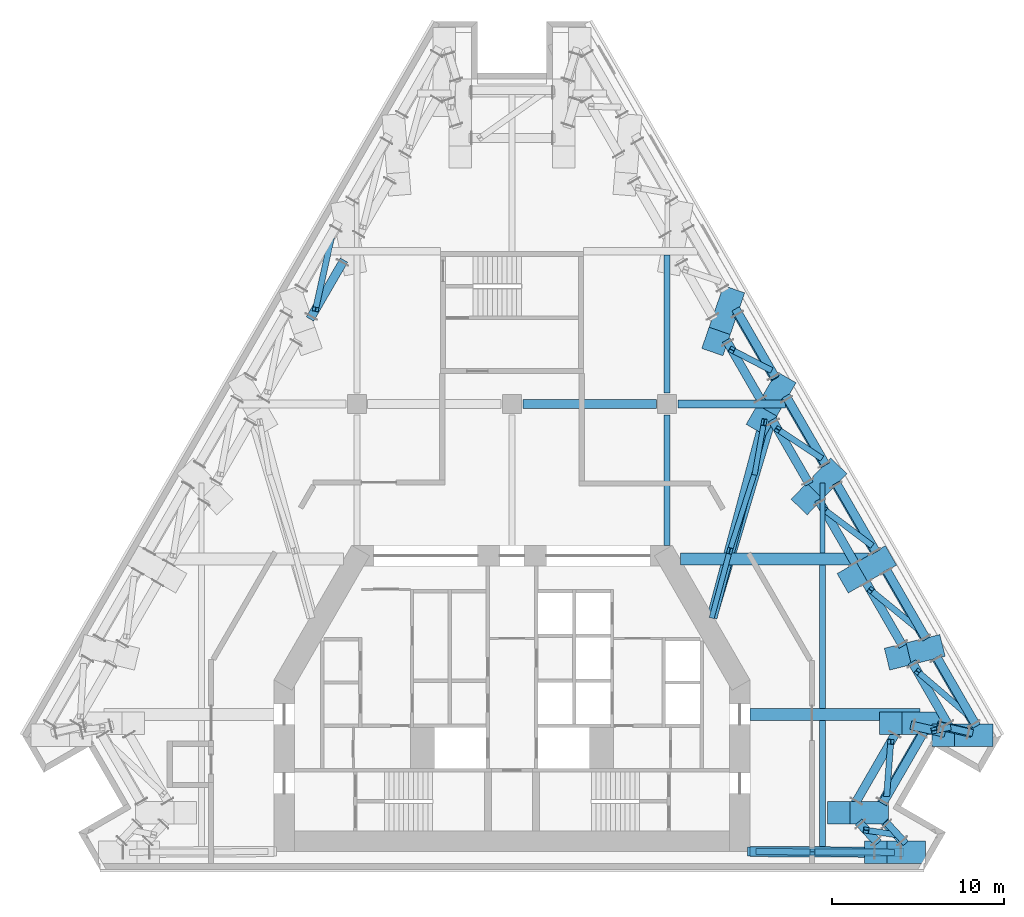
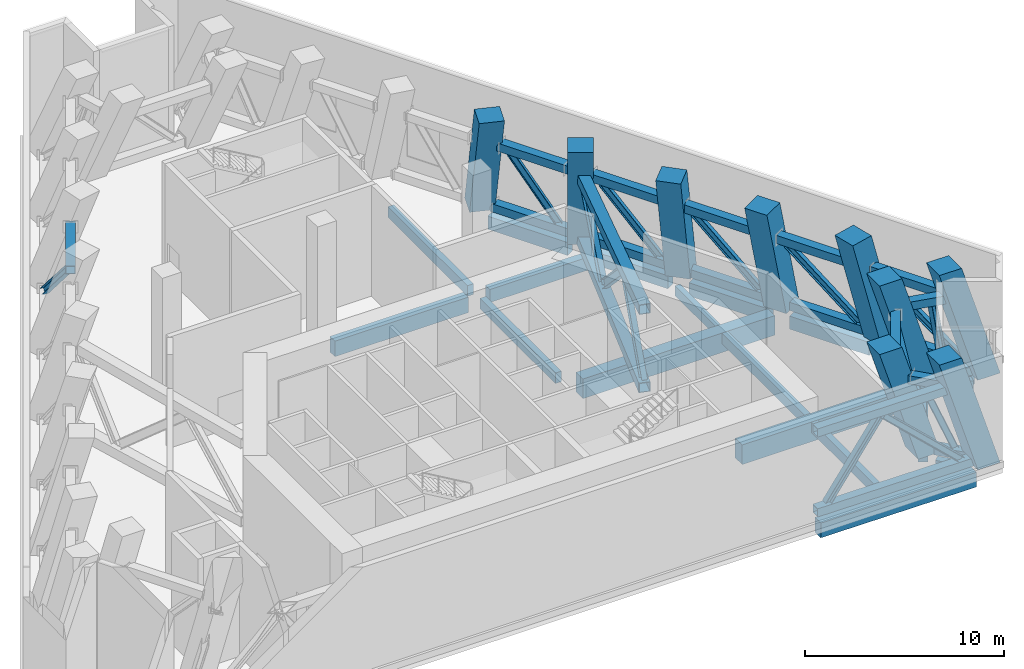
# One storey, part 2 of 13: 44 members, 18 beams.
"""IFC4 building model written with IfcOpenShell, lengths in metres."""

from ifc_helpers import new_model, si_unit, direction, frame, origin, origin_2d, place, context, subcontext, project, spatial, rectangle, hollow_rectangle, i_section, extrude, material, material_profile, profile_set, type_object, element, save


model = new_model("IFC4")

# Units and contexts
model_context = context("Model", 3, precision=1e-05, world=origin(), true_north=direction((0.0, 1.0)))
body_context = subcontext(model_context, "Body", "Model", "MODEL_VIEW")
ifc_project = project(units=[si_unit("LENGTHUNIT", "METRE"), si_unit("AREAUNIT", "SQUARE_METRE"), si_unit("VOLUMEUNIT", "CUBIC_METRE"), si_unit("PLANEANGLEUNIT", "RADIAN"), si_unit("MASSUNIT", "GRAM", prefix="KILO")], contexts=[model_context])

# Site, building, storey
site_placement = place(None, origin())
site = spatial("IfcSite", under=ifc_project, at=site_placement, CompositionType="ELEMENT")
building_placement = place(site_placement, origin())
building = spatial("IfcBuilding", under=site, at=building_placement, Name="Fogline Exchange Tower", CompositionType="ELEMENT")
storey_placement = place(building_placement, frame((0.0, 0.0, 174.89990234375)))
storey = spatial("IfcBuildingStorey", under=building, at=storey_placement, Name="L39", CompositionType="ELEMENT", Elevation=174.89990234375)

# Beams
ifc_material_1 = material(Name="Concrete C40", Category="concrete")
ifc_material_profile_1 = material_profile(ifc_material_1, rectangle(XDim=0.300048828125, YDim=0.60009765625, at=origin_2d()), Name="RC 300x600")
ifc_profile_set_1 = profile_set([ifc_material_profile_1], Name="Concrete C40")
beam_type_1 = type_object("IfcBeamType", Name="B06", PredefinedType="BEAM", material=ifc_profile_set_1)
beam_1_placement = place(storey_placement, frame((18.0, 18.35009765625, -0.699951171875), z_axis=(0.0, 1.0, 0.0), x_axis=(-1.0, 0.0, 0.0)))
element("IfcBeam", 1, at=beam_1_placement, inside=storey, type_object=beam_type_1, Name="SB014", PredefinedType="BEAM", context=body_context, shape_type="SweptSolid", body=[
    extrude(rectangle(XDim=0.300048828125, YDim=0.60009765625, at=origin_2d()), origin(), (0.0, 0.0, 1.0), 4.070068359375),
])
ifc_material_profile_2 = material_profile(ifc_material_1, rectangle(XDim=0.60009765625, YDim=0.89990234375, at=origin_2d()), Name="RC 600x900")
ifc_profile_set_2 = profile_set([ifc_material_profile_2], Name="Concrete C40")
beam_type_2 = type_object("IfcBeamType", Name="B09", PredefinedType="BEAM", material=ifc_profile_set_2)
beam_2_placement = place(storey_placement, frame((13.800048828125, 1.050048828125, -0.849853515625), z_axis=(0.999984543136, -0.005559990001, 0.0), x_axis=(0.005559990001, 0.999984543136, 0.0)))
element("IfcBeam", 2, at=beam_2_placement, inside=storey, type_object=beam_type_2, Name="RB005", PredefinedType="BEAM", context=body_context, shape_type="SweptSolid", body=[
    extrude(rectangle(XDim=0.60009765625, YDim=0.89990234375, at=origin_2d()), origin(), (0.0, 0.0, 1.0), 9.001708984375),
])
ifc_material_profile_3 = material_profile(ifc_material_1, rectangle(XDim=0.5, YDim=0.800048828125, at=origin_2d()), Name="RC 500x800")
ifc_profile_set_3 = profile_set([ifc_material_profile_3], Name="Concrete C40")
beam_type_3 = type_object("IfcBeamType", Name="B10", PredefinedType="BEAM", material=ifc_profile_set_3)
beam_3_placement = place(storey_placement, frame((21.49267578125, 3.823974609375, -0.7998046875), z_axis=(0.499994660107, 0.866028486751, 0.0), x_axis=(-0.866028486751, 0.499994660107, 0.0)))
element("IfcBeam", 3, at=beam_3_placement, inside=storey, type_object=beam_type_3, Name="RB007", PredefinedType="BEAM", context=body_context, shape_type="SweptSolid", body=[
    extrude(rectangle(XDim=0.5, YDim=0.800048828125, at=origin_2d()), origin(), (0.0, 0.0, 1.0), 4.78759765625),
])
for number, where, z_axis, x_axis, name in (
    (4, (26.94580078125, 8.319091796875, -0.7998046875), (-0.499981705991, 0.866035965578, 0.0), (-0.866035965578, -0.499981705991, 0.0), "RB009"),
    (5, (24.030029296875, 13.369384765625, -0.7998046875), (-0.499981705991, 0.866035965578, 0.0), (-0.866035965578, -0.499981705991, 0.0), "RB010"),
):
    element("IfcBeam", number, at=place(storey_placement, frame(where, z_axis=z_axis, x_axis=x_axis)), inside=storey, type_object=beam_type_3, Name=name, PredefinedType="BEAM", context=body_context, shape_type="SweptSolid", body=[
        extrude(rectangle(XDim=0.5, YDim=0.800048828125, at=origin_2d()), origin(), (0.0, 0.0, 1.0), 4.619384765625),
    ])
for number, where, z_axis, x_axis, name in (
    (6, (21.1142578125, 18.419921875, -0.7998046875), (-0.500004591975, 0.86602275259, 0.0), (-0.86602275259, -0.500004591975, 0.0), "RB011"),
    (7, (18.198486328125, 23.47021484375, -0.7998046875), (-0.500004591975, 0.86602275259, 0.0), (-0.86602275259, -0.500004591975, 0.0), "RB012"),
    (8, (15.28271484375, 28.5205078125, -0.7998046875), (-0.500004591975, 0.86602275259, 0.0), (-0.86602275259, -0.500004591975, 0.0), "RB013"),
):
    element("IfcBeam", number, at=place(storey_placement, frame(where, z_axis=z_axis, x_axis=x_axis)), inside=storey, type_object=beam_type_3, Name=name, PredefinedType="BEAM", context=body_context, shape_type="SweptSolid", body=[
        extrude(rectangle(XDim=0.5, YDim=0.800048828125, at=origin_2d()), origin(), (0.0, 0.0, 1.0), 4.619140625),
    ])
ifc_material_profile_4 = material_profile(ifc_material_1, rectangle(XDim=0.39990234375, YDim=0.60009765625, at=origin_2d()), Name="RC 400x600")
ifc_profile_set_4 = profile_set([ifc_material_profile_4], Name="Concrete C40")
beam_type_4 = type_object("IfcBeamType", Name="B11", PredefinedType="BEAM", material=ifc_profile_set_4)
beam_4_placement = place(storey_placement, frame((22.83837890625, 1.52490234375, -0.699951171875), z_axis=(-0.680791505026, 0.732477253357, 0.0), x_axis=(-0.732477253357, -0.680791505026, 0.0)))
element("IfcBeam", 9, at=beam_4_placement, inside=storey, type_object=beam_type_4, Name="RB006", PredefinedType="BEAM", context=body_context, shape_type="SweptSolid", body=[
    extrude(rectangle(XDim=0.39990234375, YDim=0.60009765625, at=origin_2d()), origin(), (0.0, 0.0, 1.0), 1.705322265625),
])
beam_5_placement = place(storey_placement, frame((24.714599609375, 8.375, -0.699951171875), z_axis=(0.974739301343, -0.223345683676, 0.0), x_axis=(0.223345683676, 0.974739301343, 0.0)))
element("IfcBeam", 10, at=beam_5_placement, inside=storey, type_object=beam_type_4, Name="RB008", PredefinedType="BEAM", context=body_context, shape_type="SweptSolid", body=[
    extrude(rectangle(XDim=0.39990234375, YDim=0.60009765625, at=origin_2d()), origin(), (0.0, 0.0, 1.0), 2.0615234375),
])
ifc_material_profile_5 = material_profile(ifc_material_1, rectangle(XDim=0.5, YDim=0.949951171875, at=origin_2d()), Name="RC 500x950")
ifc_profile_set_5 = profile_set([ifc_material_profile_5], Name="Concrete C40")
beam_type_5 = type_object("IfcBeamType", Name="B14", PredefinedType="BEAM", material=ifc_profile_set_5)
beam_6_placement = place(storey_placement, frame((0.625, 27.0, -0.875), z_axis=(1.0, 0.0, 0.0), x_axis=(0.0, 1.0, 0.0)))
element("IfcBeam", 11, at=beam_6_placement, inside=storey, type_object=beam_type_5, Name="GB007", PredefinedType="BEAM", context=body_context, shape_type="SweptSolid", body=[
    extrude(rectangle(XDim=0.5, YDim=0.949951171875, at=origin_2d()), origin(), (0.0, 0.0, 1.0), 7.75),
])
ifc_material_profile_6 = material_profile(ifc_material_1, rectangle(XDim=0.35009765625, YDim=0.64990234375, at=origin_2d()), Name="RC 350x650")
ifc_profile_set_6 = profile_set([ifc_material_profile_6], Name="Concrete C40")
beam_type_6 = type_object("IfcBeamType", Name="B16", PredefinedType="BEAM", material=ifc_profile_set_6)
beam_7_placement = place(storey_placement, frame((9.0, 18.800048828125, -0.724853515625), z_axis=(0.0, 1.0, 0.0), x_axis=(-1.0, 0.0, 0.0)))
element("IfcBeam", 12, at=beam_7_placement, inside=storey, type_object=beam_type_6, Name="SB009", PredefinedType="BEAM", context=body_context, shape_type="SweptSolid", body=[
    extrude(rectangle(XDim=0.35009765625, YDim=0.64990234375, at=origin_2d()), origin(), (0.0, 0.0, 1.0), 7.574951171875),
])
beam_8_placement = place(storey_placement, frame((9.0, 27.625, -0.724853515625), z_axis=(0.0, 1.0, 0.0), x_axis=(-1.0, 0.0, 0.0)))
element("IfcBeam", 13, at=beam_8_placement, inside=storey, type_object=beam_type_6, Name="SB010", PredefinedType="BEAM", context=body_context, shape_type="SweptSolid", body=[
    extrude(rectangle(XDim=0.35009765625, YDim=0.64990234375, at=origin_2d()), origin(), (0.0, 0.0, 1.0), 8.007080078125),
])
beam_9_placement = place(storey_placement, frame((18.0, 1.327880859375, -0.724853515625), z_axis=(0.0, 1.0, 0.0), x_axis=(-1.0, 0.0, 0.0)))
element("IfcBeam", 14, at=beam_9_placement, inside=storey, type_object=beam_type_6, Name="SB012", PredefinedType="BEAM", context=body_context, shape_type="SweptSolid", body=[
    extrude(rectangle(XDim=0.35009765625, YDim=0.64990234375, at=origin_2d()), origin(), (0.0, 0.0, 1.0), 7.322021484375),
])
beam_10_placement = place(storey_placement, frame((18.0, 9.35009765625, -0.724853515625), z_axis=(0.0, 1.0, 0.0), x_axis=(-1.0, 0.0, 0.0)))
element("IfcBeam", 15, at=beam_10_placement, inside=storey, type_object=beam_type_6, Name="SB013", PredefinedType="BEAM", context=body_context, shape_type="SweptSolid", body=[
    extrude(rectangle(XDim=0.35009765625, YDim=0.64990234375, at=origin_2d()), origin(), (0.0, 0.0, 1.0), 8.2998046875),
])
ifc_material_profile_7 = material_profile(ifc_material_1, rectangle(XDim=0.699951171875, YDim=1.199951171875, at=origin_2d()), Name="RC 700x1200")
ifc_profile_set_7 = profile_set([ifc_material_profile_7], Name="Concrete C40")
beam_type_7 = type_object("IfcBeamType", Name="B17", PredefinedType="BEAM", material=ifc_profile_set_7)
beam_11_placement = place(storey_placement, frame((13.800048828125, 9.0, -1.0), z_axis=(1.0, 0.0, 0.0), x_axis=(0.0, 1.0, 0.0)))
element("IfcBeam", 16, at=beam_11_placement, inside=storey, type_object=beam_type_7, Name="GB002", PredefinedType="BEAM", context=body_context, shape_type="SweptSolid", body=[
    extrude(rectangle(XDim=0.699951171875, YDim=1.199951171875, at=origin_2d()), origin(), (0.0, 0.0, 1.0), 9.864501953125),
])
beam_12_placement = place(storey_placement, frame((9.758056640625, 18.0, -1.0), z_axis=(1.0, 0.0, 0.0), x_axis=(0.0, 1.0, 0.0)))
element("IfcBeam", 17, at=beam_12_placement, inside=storey, type_object=beam_type_7, Name="GB004", PredefinedType="BEAM", context=body_context, shape_type="SweptSolid", body=[
    extrude(rectangle(XDim=0.699951171875, YDim=1.199951171875, at=origin_2d()), origin(), (0.0, 0.0, 1.0), 11.13427734375),
])
ifc_material_profile_8 = material_profile(ifc_material_1, rectangle(XDim=0.449951171875, YDim=0.800048828125, at=origin_2d()), Name="RC 450x800")
ifc_profile_set_8 = profile_set([ifc_material_profile_8], Name="Concrete C40")
beam_type_8 = type_object("IfcBeamType", Name="B18", PredefinedType="BEAM", material=ifc_profile_set_8)
beam_13_placement = place(storey_placement, frame((9.625, 27.0, -0.7998046875), z_axis=(1.0, 0.0, 0.0), x_axis=(0.0, 1.0, 0.0)))
element("IfcBeam", 18, at=beam_13_placement, inside=storey, type_object=beam_type_8, Name="GB008", PredefinedType="BEAM", context=body_context, shape_type="SweptSolid", body=[
    extrude(rectangle(XDim=0.449951171875, YDim=0.800048828125, at=origin_2d()), origin(), (0.0, 0.0, 1.0), 6.246826171875),
])

# Members
ifc_material_2 = material(Name="Steel Q355B", Category="steel")
ifc_material_profile_9 = material_profile(ifc_material_2, hollow_rectangle(XDim=0.5, YDim=0.5, WallThickness=0.02490234375, at=origin_2d()), Name="BOX500X500X25")
ifc_profile_set_9 = profile_set([ifc_material_profile_9], Name="Steel Q355B")
member_type_1 = type_object("IfcMemberType", Name="M05", PredefinedType="CHORD", material=ifc_profile_set_9)
member_1_placement = place(storey_placement, frame((13.64990234375, 1.05078125, 0.25), z_axis=(0.999983712525, -0.005707423731, 0.0), x_axis=(0.005707423731, 0.999983712525, 0.0)))
element("IfcMember", 19, at=member_1_placement, inside=storey, type_object=member_type_1, Name="Belt truss chord BT4-2-BC", PredefinedType="CHORD", context=body_context, shape_type="SweptSolid", body=[
    extrude(hollow_rectangle(XDim=0.5, YDim=0.5, WallThickness=0.02490234375, at=origin_2d()), origin(), (0.0, 0.0, 1.0), 9.068603515625),
])
member_2_placement = place(storey_placement, frame((13.64990234375, 1.051025390625, 5.150146484375), z_axis=(0.999976265764, -0.006889695766, 0.0), x_axis=(0.006889695766, 0.999976265764, 0.0)))
element("IfcMember", 20, at=member_2_placement, inside=storey, type_object=member_type_1, Name="Belt truss chord BT4-2-TC", PredefinedType="CHORD", context=body_context, shape_type="SweptSolid", body=[
    extrude(hollow_rectangle(XDim=0.5, YDim=0.5, WallThickness=0.02490234375, at=origin_2d()), origin(), (0.0, 0.0, 1.0), 7.5478515625),
])
for number, where, z_axis, x_axis, name in (
    (21, (22.746826171875, 1.5400390625, 0.25), (-0.680811200707, 0.732458946967, 0.0), (-0.732458946967, -0.680811200707, 0.0), "Belt truss chord BT5-1-BC"),
    (22, (21.226318359375, 1.5400390625, 5.150146484375), (-0.680811200707, 0.732458946967, 0.0), (-0.732458946967, -0.680811200707, 0.0), "Belt truss chord BT5-1-TC"),
):
    element("IfcMember", number, at=place(storey_placement, frame(where, z_axis=z_axis, x_axis=x_axis)), inside=storey, type_object=member_type_1, Name=name, PredefinedType="CHORD", context=body_context, shape_type="SweptSolid", body=[
        extrude(hollow_rectangle(XDim=0.5, YDim=0.5, WallThickness=0.02490234375, at=origin_2d()), origin(), (0.0, 0.0, 1.0), 1.663818359375),
    ])
for number, where, z_axis, x_axis, name in (
    (23, (21.412353515625, 3.819091796875, 0.25), (0.499991085587, 0.866030550462, 0.0), (-0.866030550462, 0.499991085587, 0.0), "Belt truss chord BT6-1-BC"),
    (24, (19.8916015625, 3.819091796875, 5.150146484375), (0.499991085587, 0.866030550462, 0.0), (-0.866030550462, 0.499991085587, 0.0), "Belt truss chord BT6-1-TC"),
):
    element("IfcMember", number, at=place(storey_placement, frame(where, z_axis=z_axis, x_axis=x_axis)), inside=storey, type_object=member_type_1, Name=name, PredefinedType="CHORD", context=body_context, shape_type="SweptSolid", body=[
        extrude(hollow_rectangle(XDim=0.5, YDim=0.5, WallThickness=0.02490234375, at=origin_2d()), origin(), (0.0, 0.0, 1.0), 4.798828125),
    ])
for number, where, z_axis, x_axis, name in (
    (25, (24.646484375, 8.372802734375, 0.25), (0.974748583567, -0.223305169745, 0.0), (0.223305169745, 0.974748583567, 0.0), "Belt truss chord BT7-1-BC"),
    (26, (23.125732421875, 8.372802734375, 5.150146484375), (0.974748583567, -0.223305169745, 0.0), (0.223305169745, 0.974748583567, 0.0), "Belt truss chord BT7-1-TC"),
):
    element("IfcMember", number, at=place(storey_placement, frame(where, z_axis=z_axis, x_axis=x_axis)), inside=storey, type_object=member_type_1, Name=name, PredefinedType="CHORD", context=body_context, shape_type="SweptSolid", body=[
        extrude(hollow_rectangle(XDim=0.5, YDim=0.5, WallThickness=0.02490234375, at=origin_2d()), origin(), (0.0, 0.0, 1.0), 2.042236328125),
    ])
member_3_placement = place(storey_placement, frame((26.87109375, 8.314208984375, 0.25), z_axis=(-0.500000620493, 0.866025045542, 0.0), x_axis=(-0.866025045542, -0.500000620493, 0.0)))
element("IfcMember", 27, at=member_3_placement, inside=storey, type_object=member_type_1, Name="Belt truss chord BT8-1-BC", PredefinedType="CHORD", context=body_context, shape_type="SweptSolid", body=[
    extrude(hollow_rectangle(XDim=0.5, YDim=0.5, WallThickness=0.02490234375, at=origin_2d()), origin(), (0.0, 0.0, 1.0), 4.68505859375),
])
member_4_placement = place(storey_placement, frame((25.3505859375, 8.314208984375, 5.150146484375), z_axis=(-0.500012080849, 0.866018428791, 0.0), x_axis=(-0.866018428791, -0.500012080849, 0.0)))
element("IfcMember", 28, at=member_4_placement, inside=storey, type_object=member_type_1, Name="Belt truss chord BT8-1-TC", PredefinedType="CHORD", context=body_context, shape_type="SweptSolid", body=[
    extrude(hollow_rectangle(XDim=0.5, YDim=0.5, WallThickness=0.02490234375, at=origin_2d()), origin(), (0.0, 0.0, 1.0), 4.30517578125),
])
member_5_placement = place(storey_placement, frame((24.002197265625, 13.28369140625, 0.25), z_axis=(-0.500034503753, 0.866005482117, 0.0), x_axis=(-0.866005482117, -0.500034503753, 0.0)))
element("IfcMember", 29, at=member_5_placement, inside=storey, type_object=member_type_1, Name="Belt truss chord BT9-1-BC", PredefinedType="CHORD", context=body_context, shape_type="SweptSolid", body=[
    extrude(hollow_rectangle(XDim=0.5, YDim=0.5, WallThickness=0.02490234375, at=origin_2d()), origin(), (0.0, 0.0, 1.0), 4.785888671875),
])
member_6_placement = place(storey_placement, frame((22.67138671875, 12.95458984375, 5.150146484375), z_axis=(-0.499989498495, 0.866031466746, 0.0), x_axis=(-0.866031466746, -0.499989498495, 0.0)))
element("IfcMember", 30, at=member_6_placement, inside=storey, type_object=member_type_1, Name="Belt truss chord BT9-1-TC", PredefinedType="CHORD", context=body_context, shape_type="SweptSolid", body=[
    extrude(hollow_rectangle(XDim=0.5, YDim=0.5, WallThickness=0.02490234375, at=origin_2d()), origin(), (0.0, 0.0, 1.0), 4.4052734375),
])
member_7_placement = place(storey_placement, frame((21.109130859375, 18.294189453125, 0.25), z_axis=(-0.499996243911, 0.866027572353, 0.0), x_axis=(-0.866027572353, -0.499996243911, 0.0)))
element("IfcMember", 31, at=member_7_placement, inside=storey, type_object=member_type_1, Name="Belt truss chord BT10-1-BC", PredefinedType="CHORD", context=body_context, shape_type="SweptSolid", body=[
    extrude(hollow_rectangle(XDim=0.5, YDim=0.5, WallThickness=0.02490234375, at=origin_2d()), origin(), (0.0, 0.0, 1.0), 4.78564453125),
])
member_8_placement = place(storey_placement, frame((19.96875, 17.6357421875, 5.150146484375), z_axis=(-0.499965502695, 0.866045319897, 0.0), x_axis=(-0.866045319897, -0.499965502695, 0.0)))
element("IfcMember", 32, at=member_8_placement, inside=storey, type_object=member_type_1, Name="Belt truss chord BT10-1-TC", PredefinedType="CHORD", context=body_context, shape_type="SweptSolid", body=[
    extrude(hollow_rectangle(XDim=0.5, YDim=0.5, WallThickness=0.02490234375, at=origin_2d()), origin(), (0.0, 0.0, 1.0), 4.405517578125),
])
member_9_placement = place(storey_placement, frame((18.18994140625, 23.3505859375, 0.25), z_axis=(-0.499978056798, 0.866038072327, 0.0), x_axis=(-0.866038072327, -0.499978056798, 0.0)))
element("IfcMember", 33, at=member_9_placement, inside=storey, type_object=member_type_1, Name="Belt truss chord BT11-1-BC", PredefinedType="CHORD", context=body_context, shape_type="SweptSolid", body=[
    extrude(hollow_rectangle(XDim=0.5, YDim=0.5, WallThickness=0.02490234375, at=origin_2d()), origin(), (0.0, 0.0, 1.0), 4.685302734375),
])
member_10_placement = place(storey_placement, frame((17.239501953125, 22.363037109375, 5.150146484375), z_axis=(-0.500012080849, 0.866018428791, 0.0), x_axis=(-0.866018428791, -0.500012080849, 0.0)))
element("IfcMember", 34, at=member_10_placement, inside=storey, type_object=member_type_1, Name="Belt truss chord BT11-1-TC", PredefinedType="CHORD", context=body_context, shape_type="SweptSolid", body=[
    extrude(hollow_rectangle(XDim=0.5, YDim=0.5, WallThickness=0.02490234375, at=origin_2d()), origin(), (0.0, 0.0, 1.0), 4.30517578125),
])
member_11_placement = place(storey_placement, frame((15.246826171875, 28.4482421875, 0.25), z_axis=(-0.500011939689, 0.866018510292, 0.0), x_axis=(-0.866018510292, -0.500011939689, 0.0)))
element("IfcMember", 35, at=member_11_placement, inside=storey, type_object=member_type_1, Name="Belt truss chord BT12-1-BC", PredefinedType="CHORD", context=body_context, shape_type="SweptSolid", body=[
    extrude(hollow_rectangle(XDim=0.5, YDim=0.5, WallThickness=0.02490234375, at=origin_2d()), origin(), (0.0, 0.0, 1.0), 4.501953125),
])
member_12_placement = place(storey_placement, frame((14.486572265625, 27.131591796875, 5.150146484375), z_axis=(-0.500050602368, 0.865996186522, 0.0), x_axis=(-0.865996186522, -0.500050602368, 0.0)))
element("IfcMember", 36, at=member_12_placement, inside=storey, type_object=member_type_1, Name="Belt truss chord BT12-1-TC", PredefinedType="CHORD", context=body_context, shape_type="SweptSolid", body=[
    extrude(hollow_rectangle(XDim=0.5, YDim=0.5, WallThickness=0.02490234375, at=origin_2d()), origin(), (0.0, 0.0, 1.0), 4.12158203125),
])
member_13_placement = place(storey_placement, frame((-9.744384765625, 35.344970703125, 5.150146484375), z_axis=(-0.500008319083, -0.866020600706, 0.0), x_axis=(0.866020600706, -0.500008319083, 0.0)))
element("IfcMember", 37, at=member_13_placement, inside=storey, type_object=member_type_1, Name="Belt truss chord BT21-1-TC", PredefinedType="CHORD", context=body_context, shape_type="SweptSolid", body=[
    extrude(hollow_rectangle(XDim=0.5, YDim=0.5, WallThickness=0.02490234375, at=origin_2d()), origin(), (0.0, 0.0, 1.0), 3.94287109375),
])
ifc_material_profile_10 = material_profile(ifc_material_2, i_section(OverallWidth=0.35009765625, OverallDepth=0.35009765625, WebThickness=0.011962890625, FlangeThickness=0.01904296875, FilletRadius=0.02001953125, at=origin_2d()), Name="HW350X350X12X19")
ifc_profile_set_10 = profile_set([ifc_material_profile_10], Name="Steel Q355B")
member_type_2 = type_object("IfcMemberType", Name="M06", PredefinedType="BRACE", material=ifc_profile_set_10)
member_14_placement = place(storey_placement, frame((14.300048828125, 1.047119140625, 0.5), z_axis=(0.578877006328, -0.004117061944, 0.815404477143), x_axis=(0.007111973316, 0.999974709598, 0.0)))
element("IfcMember", 38, at=member_14_placement, inside=storey, type_object=member_type_2, Name="Belt truss diagonal BT4-2-D1", PredefinedType="BRACE", context=body_context, shape_type="SweptSolid", body=[
    extrude(i_section(OverallWidth=0.35009765625, OverallDepth=0.35009765625, WebThickness=0.011962890625, FlangeThickness=0.01904296875, FilletRadius=0.02001953125, at=origin_2d()), origin(), (0.0, 0.0, 1.0), 5.396240234375),
])
member_15_placement = place(storey_placement, frame((17.423828125, 1.02490234375, 4.900146484375), z_axis=(0.725925338684, -0.003434436234, -0.687764936083), x_axis=(0.004731062018, 0.999988808463, 0.0)))
element("IfcMember", 39, at=member_15_placement, inside=storey, type_object=member_type_2, Name="Belt truss diagonal BT4-2-D2", PredefinedType="BRACE", context=body_context, shape_type="SweptSolid", body=[
    extrude(i_section(OverallWidth=0.35009765625, OverallDepth=0.35009765625, WebThickness=0.011962890625, FlangeThickness=0.01904296875, FilletRadius=0.02001953125, at=origin_2d()), origin(), (0.0, 0.0, 1.0), 6.397705078125),
])
member_16_placement = place(storey_placement, frame((22.30419921875, 2.01611328125, 0.5), z_axis=(-0.3723024088, 0.056130640675, 0.926412579567), x_axis=(-0.149081432404, -0.988824922073, 0.0)))
element("IfcMember", 40, at=member_16_placement, inside=storey, type_object=member_type_2, Name="Belt truss diagonal BT5-1-D1", PredefinedType="BRACE", context=body_context, shape_type="SweptSolid", body=[
    extrude(i_section(OverallWidth=0.35009765625, OverallDepth=0.35009765625, WebThickness=0.011962890625, FlangeThickness=0.01904296875, FilletRadius=0.02001953125, at=origin_2d()), origin(), (0.0, 0.0, 1.0), 4.749755859375),
])
member_17_placement = place(storey_placement, frame((21.7373046875, 4.382080078125, 0.5), z_axis=(0.042779616645, 0.566635882798, 0.822857023259), x_axis=(-0.997162186188, 0.075283294534, 0.0)))
element("IfcMember", 41, at=member_17_placement, inside=storey, type_object=member_type_2, Name="Belt truss diagonal BT6-1-D1", PredefinedType="BRACE", context=body_context, shape_type="SweptSolid", body=[
    extrude(i_section(OverallWidth=0.35009765625, OverallDepth=0.35009765625, WebThickness=0.011962890625, FlangeThickness=0.01904296875, FilletRadius=0.02001953125, at=origin_2d()), origin(), (0.0, 0.0, 1.0), 5.347412109375),
])
member_18_placement = place(storey_placement, frame((25.280029296875, 8.2275390625, 0.5), z_axis=(-0.178133661736, -0.037045254615, 0.983308724494), x_axis=(0.203606978968, -0.979052704463, 0.0)))
element("IfcMember", 42, at=member_18_placement, inside=storey, type_object=member_type_2, Name="Belt truss diagonal BT7-1-D1", PredefinedType="BRACE", context=body_context, shape_type="SweptSolid", body=[
    extrude(i_section(OverallWidth=0.35009765625, OverallDepth=0.35009765625, WebThickness=0.011962890625, FlangeThickness=0.01904296875, FilletRadius=0.02001953125, at=origin_2d()), origin(), (0.0, 0.0, 1.0), 4.474853515625),
])
member_19_placement = place(storey_placement, frame((26.546142578125, 8.877197265625, 0.5), z_axis=(-0.509001656014, 0.438172238044, 0.740892977415), x_axis=(-0.652407926961, -0.757867994336, 0.0)))
element("IfcMember", 43, at=member_19_placement, inside=storey, type_object=member_type_2, Name="Belt truss diagonal BT8-1-D1", PredefinedType="BRACE", context=body_context, shape_type="SweptSolid", body=[
    extrude(i_section(OverallWidth=0.35009765625, OverallDepth=0.35009765625, WebThickness=0.011962890625, FlangeThickness=0.01904296875, FilletRadius=0.02001953125, at=origin_2d()), origin(), (0.0, 0.0, 1.0), 5.93896484375),
])
member_20_placement = place(storey_placement, frame((23.677001953125, 13.8466796875, 0.5), z_axis=(-0.500066728191, 0.40932642349, 0.763141629312), x_axis=(-0.633405473927, -0.773820073143, 0.0)))
element("IfcMember", 44, at=member_20_placement, inside=storey, type_object=member_type_2, Name="Belt truss diagonal BT9-1-D1", PredefinedType="BRACE", context=body_context, shape_type="SweptSolid", body=[
    extrude(i_section(OverallWidth=0.35009765625, OverallDepth=0.35009765625, WebThickness=0.011962890625, FlangeThickness=0.01904296875, FilletRadius=0.02001953125, at=origin_2d()), origin(), (0.0, 0.0, 1.0), 5.765869140625),
])
member_21_placement = place(storey_placement, frame((20.7841796875, 18.857177734375, 0.5), z_axis=(-0.485745801027, 0.366323934253, 0.79363580563), x_axis=(-0.602117138627, -0.79840776009, 0.0)))
element("IfcMember", 45, at=member_21_placement, inside=storey, type_object=member_type_2, Name="Belt truss diagonal BT10-1-D1", PredefinedType="BRACE", context=body_context, shape_type="SweptSolid", body=[
    extrude(i_section(OverallWidth=0.35009765625, OverallDepth=0.35009765625, WebThickness=0.011962890625, FlangeThickness=0.01904296875, FilletRadius=0.02001953125, at=origin_2d()), origin(), (0.0, 0.0, 1.0), 5.544189453125),
])
member_22_placement = place(storey_placement, frame((17.864990234375, 23.913818359375, 0.5), z_axis=(-0.463679018461, 0.305196511305, 0.831779332111), x_axis=(-0.549798196813, -0.835297517523, 0.0)))
element("IfcMember", 46, at=member_22_placement, inside=storey, type_object=member_type_2, Name="Belt truss diagonal BT11-1-D1", PredefinedType="BRACE", context=body_context, shape_type="SweptSolid", body=[
    extrude(i_section(OverallWidth=0.35009765625, OverallDepth=0.35009765625, WebThickness=0.011962890625, FlangeThickness=0.01904296875, FilletRadius=0.02001953125, at=origin_2d()), origin(), (0.0, 0.0, 1.0), 5.2900390625),
])
member_23_placement = place(storey_placement, frame((14.921875, 29.01123046875, 0.5), z_axis=(-0.431305684429, 0.223799835129, 0.874007460137), x_axis=(-0.460576408708, -0.887620060466, 0.0)))
element("IfcMember", 47, at=member_23_placement, inside=storey, type_object=member_type_2, Name="Belt truss diagonal BT12-1-D1", PredefinedType="BRACE", context=body_context, shape_type="SweptSolid", body=[
    extrude(i_section(OverallWidth=0.35009765625, OverallDepth=0.35009765625, WebThickness=0.011962890625, FlangeThickness=0.01904296875, FilletRadius=0.02001953125, at=origin_2d()), origin(), (0.0, 0.0, 1.0), 5.034423828125),
])
member_24_placement = place(storey_placement, frame((-10.44970703125, 36.75732421875, 0.5), z_axis=(-0.151823931267, -0.687835268372, 0.709811339356), x_axis=(0.976495226827, -0.215539026591, 0.0)))
element("IfcMember", 48, at=member_24_placement, inside=storey, type_object=member_type_2, Name="Belt truss diagonal BT21-1-D1", PredefinedType="BRACE", context=body_context, shape_type="SweptSolid", body=[
    extrude(i_section(OverallWidth=0.35009765625, OverallDepth=0.35009765625, WebThickness=0.011962890625, FlangeThickness=0.01904296875, FilletRadius=0.02001953125, at=origin_2d()), origin(), (0.0, 0.0, 1.0), 6.198974609375),
])
ifc_material_profile_11 = material_profile(ifc_material_2, hollow_rectangle(XDim=0.60009765625, YDim=0.60009765625, WallThickness=0.030029296875, at=origin_2d()), Name="BOX600X600X30")
ifc_profile_set_11 = profile_set([ifc_material_profile_11], Name="Steel Q355B")
member_type_3 = type_object("IfcMemberType", Name="M07", PredefinedType="CHORD", material=ifc_profile_set_11)
member_25_placement = place(storey_placement, frame((11.58447265625, 14.618408203125, 0.300048828125), z_axis=(0.285090857903, 0.958500496995, 0.0), x_axis=(-0.958500496995, 0.285090857903, 0.0)))
element("IfcMember", 49, at=member_25_placement, inside=storey, type_object=member_type_3, Name="Outrigger chord OR-E-1-BC", PredefinedType="CHORD", context=body_context, shape_type="SweptSolid", body=[
    extrude(hollow_rectangle(XDim=0.60009765625, YDim=0.60009765625, WallThickness=0.030029296875, at=origin_2d()), origin(), (0.0, 0.0, 1.0), 13.322509765625),
])
member_26_placement = place(storey_placement, frame((11.59423828125, 14.607666015625, 5.10009765625), z_axis=(0.257331383536, 0.966323216655, 0.0), x_axis=(-0.966323216655, 0.257331383536, 0.0)))
element("IfcMember", 50, at=member_26_placement, inside=storey, type_object=member_type_3, Name="Outrigger chord OR-E-1-TC", PredefinedType="CHORD", context=body_context, shape_type="SweptSolid", body=[
    extrude(hollow_rectangle(XDim=0.60009765625, YDim=0.60009765625, WallThickness=0.030029296875, at=origin_2d()), origin(), (0.0, 0.0, 1.0), 11.881103515625),
])
ifc_material_profile_12 = material_profile(ifc_material_2, i_section(OverallWidth=0.300048828125, OverallDepth=0.488037109375, WebThickness=0.010986328125, FlangeThickness=0.01806640625, FilletRadius=0.02587890625, at=origin_2d()), Name="HM488X300X11X18")
ifc_profile_set_12 = profile_set([ifc_material_profile_12], Name="Steel Q355B")
member_type_4 = type_object("IfcMemberType", Name="M08", PredefinedType="BRACE", material=ifc_profile_set_12)
member_27_placement = place(storey_placement, frame((11.627197265625, 14.76220703125, 0.60009765625), z_axis=(0.175290823038, 0.652842654717, 0.73693255834), x_axis=(-0.965791755008, 0.259318888549, 0.0)))
element("IfcMember", 51, at=member_27_placement, inside=storey, type_object=member_type_4, Name="Outrigger brace OR-E-1-D1", PredefinedType="BRACE", context=body_context, shape_type="SweptSolid", body=[
    extrude(i_section(OverallWidth=0.300048828125, OverallDepth=0.488037109375, WebThickness=0.010986328125, FlangeThickness=0.01806640625, FilletRadius=0.02587890625, at=origin_2d()), origin(), (0.0, 0.0, 1.0), 5.69921875),
])
member_28_placement = place(storey_placement, frame((12.626220703125, 18.48291015625, 4.800048828125), z_axis=(0.230569687382, 0.718633011747, -0.656051990081), x_axis=(-0.952190358174, 0.305505354782, 0.0)))
element("IfcMember", 52, at=member_28_placement, inside=storey, type_object=member_type_4, Name="Outrigger brace OR-E-1-D2", PredefinedType="BRACE", context=body_context, shape_type="SweptSolid", body=[
    extrude(i_section(OverallWidth=0.300048828125, OverallDepth=0.488037109375, WebThickness=0.010986328125, FlangeThickness=0.01806640625, FilletRadius=0.02587890625, at=origin_2d()), origin(), (0.0, 0.0, 1.0), 6.40185546875),
])
member_29_placement = place(storey_placement, frame((14.102294921875, 23.08349609375, 0.60009765625), z_axis=(0.10000976982, 0.560045149828, 0.822403475245), x_axis=(-0.984427056151, 0.17579354686, 0.0)))
element("IfcMember", 53, at=member_29_placement, inside=storey, type_object=member_type_4, Name="Outrigger brace OR-E-1-D3", PredefinedType="BRACE", context=body_context, shape_type="SweptSolid", body=[
    extrude(i_section(OverallWidth=0.300048828125, OverallDepth=0.488037109375, WebThickness=0.010986328125, FlangeThickness=0.01806640625, FilletRadius=0.02587890625, at=origin_2d()), origin(), (0.0, 0.0, 1.0), 5.10693359375),
])
ifc_material_3 = material(Name="Concrete C60", Category="concrete")
ifc_material_profile_13 = material_profile(ifc_material_3, rectangle(XDim=1.300048828125, YDim=1.300048828125, at=origin_2d()), Name="RC 1300x1300")
ifc_profile_set_13 = profile_set([ifc_material_profile_13], Name="Concrete C60")
member_type_5 = type_object("IfcMemberType", Name="RP02", PredefinedType="POST", material=ifc_profile_set_13)
for number, where, z_axis, x_axis, name in (
    (54, (23.326416015625, 1.0, 0.0), (0.0, 0.0, 1.0), (0.0, -1.0, 0.0), "SE-a"),
    (55, (21.189697265625, 3.299072265625, 0.0), (0.0, 0.0, 1.0), (0.0, -1.0, 0.0), "SE-p4"),
    (56, (24.189697265625, 8.4951171875, 0.0), (0.0, 0.0, 1.0), (0.0, -1.0, 0.0), "SE-p3"),
    (57, (27.2490234375, 7.794189453125, 0.0), (0.0, 0.0, 1.0), (0.0, -1.0, 0.0), "SE-b"),
):
    element("IfcMember", number, at=place(storey_placement, frame(where, z_axis=z_axis, x_axis=x_axis)), inside=storey, type_object=member_type_5, Name=name, PredefinedType="POST", context=body_context, shape_type="SweptSolid", body=[
        extrude(rectangle(XDim=1.300048828125, YDim=1.300048828125, at=origin_2d()), origin(), (0.0, -0.296378843059, 0.95507045886), 7.538818359375),
    ])
member_30_placement = place(storey_placement, frame((24.333251953125, 12.844482421875, 0.0), z_axis=(0.0, 0.0, 1.0), x_axis=(0.240138986151, -0.970738516456, 0.0)))
element("IfcMember", 58, at=member_30_placement, inside=storey, type_object=member_type_5, Name="E1", PredefinedType="POST", context=body_context, shape_type="SweptSolid", body=[
    extrude(rectangle(XDim=1.300048828125, YDim=1.300048828125, at=origin_2d()), origin(), (0.0, -0.269376452332, 0.963034956234), 7.4765625),
])
member_31_placement = place(storey_placement, frame((21.41748046875, 17.894775390625, 0.0), z_axis=(0.0, 0.0, 1.0), x_axis=(0.500006411147, -0.866021702275, 0.0)))
element("IfcMember", 59, at=member_31_placement, inside=storey, type_object=member_type_5, Name="E2", PredefinedType="POST", context=body_context, shape_type="SweptSolid", body=[
    extrude(rectangle(XDim=1.300048828125, YDim=1.300048828125, at=origin_2d()), origin(), (0.0, -0.259538192668, 0.965732844293), 7.45556640625),
])
member_32_placement = place(storey_placement, frame((18.501708984375, 22.945068359375, 0.0), z_axis=(0.0, 0.0, 1.0), x_axis=(0.720553474381, -0.693399373058, 0.0)))
element("IfcMember", 60, at=member_32_placement, inside=storey, type_object=member_type_5, Name="E3", PredefinedType="POST", context=body_context, shape_type="SweptSolid", body=[
    extrude(rectangle(XDim=1.300048828125, YDim=1.300048828125, at=origin_2d()), origin(), (0.0, -0.269371149312, 0.963036439559), 7.4765625),
])
member_33_placement = place(storey_placement, frame((15.585693359375, 27.995361328125, 0.0), z_axis=(0.0, 0.0, 1.0), x_axis=(0.866076416361, -0.499911633214, 0.0)))
element("IfcMember", 61, at=member_33_placement, inside=storey, type_object=member_type_5, Name="E4", PredefinedType="POST", context=body_context, shape_type="SweptSolid", body=[
    extrude(rectangle(XDim=1.300048828125, YDim=1.300048828125, at=origin_2d()), origin(), (0.0, -0.296367541155, 0.95507396601), 7.538818359375),
])
member_34_placement = place(storey_placement, frame((12.669921875, 33.045654296875, 0.0), z_axis=(0.0, 0.0, 1.0), x_axis=(0.944937301569, -0.327251426434, 0.0)))
element("IfcMember", 62, at=member_34_placement, inside=storey, type_object=member_type_5, Name="E5", PredefinedType="POST", context=body_context, shape_type="SweptSolid", body=[
    extrude(rectangle(XDim=1.300048828125, YDim=1.300048828125, at=origin_2d()), origin(), (0.0, -0.334960004734, 0.942232346732), 7.6416015625),
])

save(model, "model.ifc")
